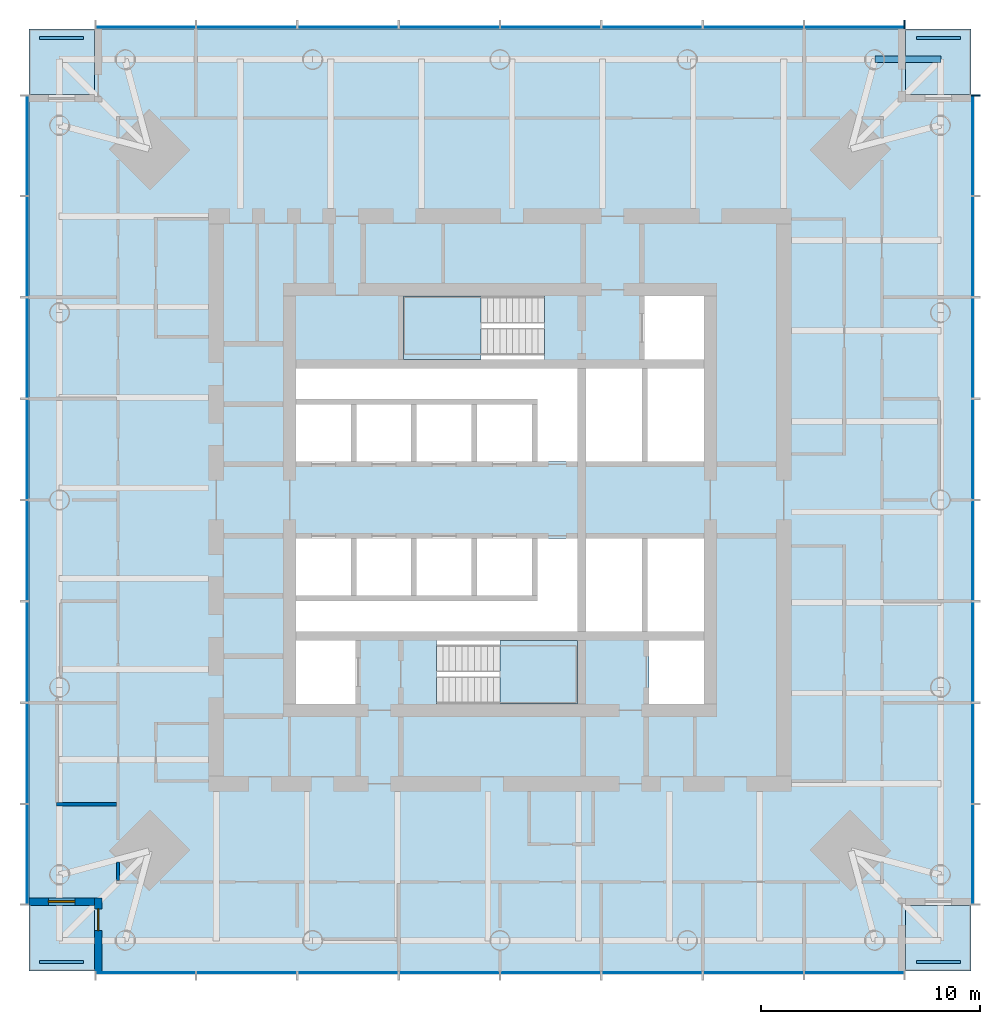
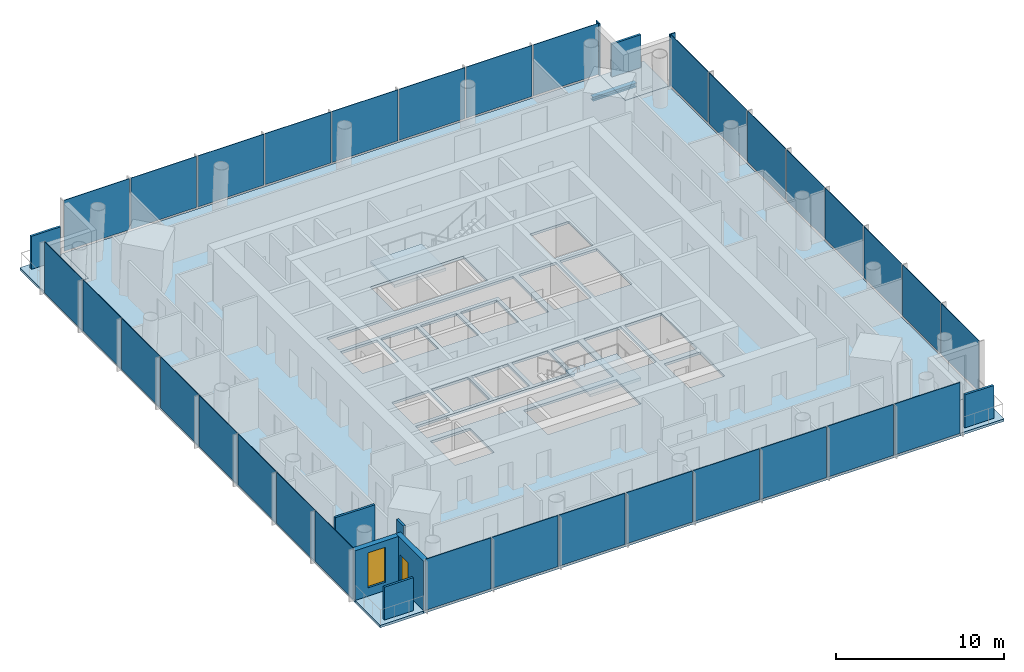
# One storey, part 3 of 9: 36 plates, 7 slabs, 4 walls, 2 members, 1 beam, 1 door, 1 window, 2 openings, 6 elements without a shape of their own.
"""IFC4 building model written with IfcOpenShell, lengths in metres."""

from ifc_helpers import new_model, si_unit, direction, frame, frame_2d, origin, origin_2d, place, context, subcontext, project, spatial, polyline, rectangle, i_section, outline, extrude, material, layer, layer_set, material_profile, profile_set, type_object, element, fill, aggregate, save


model = new_model("IFC4")

# Units and contexts
model_context = context("Model", 3, precision=1e-05, world=origin(), true_north=direction((0.0, 1.0)))
body_context = subcontext(model_context, "Body", "Model", "MODEL_VIEW")
ifc_project = project(units=[si_unit("LENGTHUNIT", "METRE"), si_unit("AREAUNIT", "SQUARE_METRE"), si_unit("VOLUMEUNIT", "CUBIC_METRE"), si_unit("PLANEANGLEUNIT", "RADIAN"), si_unit("MASSUNIT", "GRAM", prefix="KILO")], contexts=[model_context])

# Site, building, storey
site_placement = place(None, origin())
site = spatial("IfcSite", under=ifc_project, at=site_placement, CompositionType="ELEMENT")
building_placement = place(site_placement, origin())
building = spatial("IfcBuilding", under=site, at=building_placement, Name="Ostroluk Exchange", CompositionType="ELEMENT")
storey_placement = place(building_placement, frame((0.0, 0.0, 142.60009765625)))
storey = spatial("IfcBuildingStorey", under=building, at=storey_placement, Name="L36", CompositionType="ELEMENT", Elevation=142.60009765625)

# Beam
ifc_material_1 = material(Name="Steel S355", Category="steel")
ifc_material_profile_1 = material_profile(ifc_material_1, i_section(OverallWidth=0.300048828125, OverallDepth=0.300048828125, WebThickness=0.010986328125, FlangeThickness=0.01904296875, FilletRadius=0.027099609375, at=origin_2d()), Name="HEB 300")
ifc_profile_set_1 = profile_set([ifc_material_profile_1], Name="Steel S355")
beam_type = type_object("IfcBeamType", Name="Balcony beam HEB 300", PredefinedType="BEAM", material=ifc_profile_set_1)
beam_placement = place(storey_placement, frame((62.1142578125, 66.1142578125, -0.330078125), z_axis=(1.0, 0.0, 0.0), x_axis=(0.0, 1.0, 0.0)))
element("IfcBeam", 1, at=beam_placement, inside=storey, type_object=beam_type, Name="T1 east balcony beam b", PredefinedType="BEAM", context=body_context, shape_type="SweptSolid", body=[
    extrude(i_section(OverallWidth=0.300048828125, OverallDepth=0.300048828125, WebThickness=0.010986328125, FlangeThickness=0.01904296875, FilletRadius=0.027099609375, at=origin_2d()), origin(), (0.0, 0.0, 1.0), 3.0),
])

# Curtain wall, member
ifc_material_2 = material(Name="Laminated clear glass", Category="glass")
curtain_wall_type = type_object("IfcCurtainWallType", Name="Office tower facade", PredefinedType="USERDEFINED", material=ifc_material_2)
curtain_wall_1_placement = place(storey_placement, origin())
curtain_wall_1 = element("IfcCurtainWall", 2, at=curtain_wall_1_placement, inside=storey, type_object=curtain_wall_type, Name="Office tower east facade L36", ObjectType="UNITISED CURTAIN WALL", PredefinedType="USERDEFINED")
ifc_material_3 = material(Name="Aluminium mullion with limestone facing", Category="masonry")
ifc_material_profile_2 = material_profile(ifc_material_3, rectangle(XDim=0.39990234375, YDim=0.080078125, at=origin_2d()), Name="Tracery mullion 80 x 400")
ifc_profile_set_2 = profile_set([ifc_material_profile_2], Name="Aluminium mullion with limestone facing")
member_type = type_object("IfcMemberType", Name="Tracery mullion 80 x 400", PredefinedType="MULLION", material=ifc_profile_set_2)
member_1_placement = place(storey_placement, frame((66.699951171875, 64.4599609375, 0.0), z_axis=(0.0, 0.0, 1.0), x_axis=(-1.0, 0.0, 0.0)))
member_1 = element("IfcMember", 3, at=member_1_placement, type_object=member_type, Name="CW-O1 mullion 9", PredefinedType="MULLION", context=body_context, shape_type="SweptSolid", body=[
    extrude(rectangle(XDim=0.39990234375, YDim=0.080078125, at=origin_2d()), origin(), (0.0, 0.0, 1.0), 3.7998046875),
])

curtain_wall_2_placement = place(storey_placement, origin())
curtain_wall_2 = element("IfcCurtainWall", 4, at=curtain_wall_2_placement, inside=storey, type_object=curtain_wall_type, Name="Office tower north facade L36", ObjectType="UNITISED CURTAIN WALL", PredefinedType="USERDEFINED")
member_2_placement = place(storey_placement, frame((63.4599609375, 67.699951171875, 0.0), z_axis=(0.0, 0.0, 1.0), x_axis=(0.0, -1.0, 0.0)))
member_2 = element("IfcMember", 5, at=member_2_placement, type_object=member_type, Name="CW-O1 mullion 1", PredefinedType="MULLION", context=body_context, shape_type="SweptSolid", body=[
    extrude(rectangle(XDim=0.39990234375, YDim=0.080078125, at=origin_2d()), origin(), (0.0, 0.0, 1.0), 3.7998046875),
])

# Slabs
ifc_material_4 = material(Name="Concrete C35/45", Category="concrete")
ifc_layer_1 = layer(ifc_material_4, 0.179931640625)
ifc_layer_set_1 = layer_set([ifc_layer_1], Name="Balcony slab 180")
slab_type_1 = type_object("IfcSlabType", Name="Balcony slab 180", PredefinedType="USERDEFINED", material=ifc_layer_set_1)
slab_1_placement = place(storey_placement, frame((0.0, 0.0, -0.18017578125)))
element("IfcSlab", 6, at=slab_1_placement, inside=storey, type_object=slab_type_1, Name="Office tower SE corner balcony L36", ObjectType="BALCONY", PredefinedType="USERDEFINED", context=body_context, shape_type="SweptSolid", body=[
    extrude(outline(polyline([(63.5, 24.5), (66.5, 24.5), (66.5, 27.5), (63.5, 27.5), (63.5, 24.5)])), origin(), (0.0, 0.0, 1.0), 0.18017578125),
])
slab_2_placement = place(storey_placement, frame((0.0, 0.0, -0.18017578125)))
element("IfcSlab", 7, at=slab_2_placement, inside=storey, type_object=slab_type_1, Name="Office tower NE corner balcony L36", ObjectType="BALCONY", PredefinedType="USERDEFINED", context=body_context, shape_type="SweptSolid", body=[
    extrude(outline(polyline([(63.5, 64.5), (66.5, 64.5), (66.5, 67.5), (63.5, 67.5), (63.5, 64.5)])), origin(), (0.0, 0.0, 1.0), 0.18017578125),
])
slab_3_placement = place(storey_placement, frame((0.0, 0.0, -0.18017578125)))
element("IfcSlab", 8, at=slab_3_placement, inside=storey, type_object=slab_type_1, Name="Office tower NW corner balcony L36", ObjectType="BALCONY", PredefinedType="USERDEFINED", context=body_context, shape_type="SweptSolid", body=[
    extrude(outline(polyline([(23.5, 64.5), (26.5, 64.5), (26.5, 67.5), (23.5, 67.5), (23.5, 64.5)])), origin(), (0.0, 0.0, 1.0), 0.18017578125),
])
slab_4_placement = place(storey_placement, frame((0.0, 0.0, -0.18017578125)))
element("IfcSlab", 9, at=slab_4_placement, inside=storey, type_object=slab_type_1, Name="Office tower SW corner balcony L36", ObjectType="BALCONY", PredefinedType="USERDEFINED", context=body_context, shape_type="SweptSolid", body=[
    extrude(outline(polyline([(23.5, 24.5), (26.5, 24.5), (26.5, 27.5), (23.5, 27.5), (23.5, 24.5)])), origin(), (0.0, 0.0, 1.0), 0.18017578125),
])

# Plates
ifc_material_5 = material(Name="Steel S355 trellis with planting", Category="steel")
ifc_layer_2 = layer(ifc_material_5, 0.14990234375)
ifc_layer_set_2 = layer_set([ifc_layer_2], Name="Planted screen 150")
plate_type_1 = type_object("IfcPlateType", Name="Planted screen 150", PredefinedType="USERDEFINED", material=ifc_layer_set_2)
for number, where, z_axis, x_axis, name in (
    (10, (65.0, 24.925048828125, 0.0), (0.0, 0.0, 1.0), (1.0, 0.0, 0.0), "Office tower SE planted screen L36"),
    (11, (65.0, 67.074951171875, 0.0), (0.0, 0.0, 1.0), (1.0, 0.0, 0.0), "Office tower NE planted screen L36"),
    (12, (25.0, 67.074951171875, 0.0), (0.0, 0.0, 1.0), (1.0, 0.0, 0.0), "Office tower NW planted screen L36"),
    (13, (25.0, 24.925048828125, 0.0), (0.0, 0.0, 1.0), (1.0, 0.0, 0.0), "Office tower SW planted screen L36"),
):
    element("IfcPlate", number, at=place(storey_placement, frame(where, z_axis=z_axis, x_axis=x_axis)), inside=storey, type_object=plate_type_1, Name=name, ObjectType="PLANTED SCREEN", PredefinedType="USERDEFINED", context=body_context, shape_type="SweptSolid", body=[
        extrude(rectangle(XDim=2.0, YDim=0.14990234375, at=origin_2d()), origin(), (0.0, 0.0, 1.0), 2.39990234375),
    ])

# Stair, slab
ifc_material_6 = material(Name="Concrete C30/37", Category="concrete")
stair_type = type_object("IfcStairType", Name="Exit stair half turn 3800", PredefinedType="HALF_TURN_STAIR", material=ifc_material_6)
stair_1_placement = place(storey_placement, origin())
stair_1 = element("IfcStair", 14, at=stair_1_placement, inside=storey, type_object=stair_type, Name="Stair T1-S1 L36", PredefinedType="HALF_TURN_STAIR")
ifc_material_7 = material(Name="Concrete C30/37", Category="concrete")
ifc_layer_3 = layer(ifc_material_7, 0.199951171875)
ifc_layer_set_3 = layer_set([ifc_layer_3], Name="Stair landing 200")
slab_type_2 = type_object("IfcSlabType", Name="Stair landing 200", PredefinedType="LANDING", material=ifc_layer_set_3)
slab_5_placement = place(storey_placement, frame((0.0, 0.0, 1.699951171875)))
slab_5 = element("IfcSlab", 15, at=slab_5_placement, type_object=slab_type_2, Name="T1-S1 landing 1", PredefinedType="LANDING", context=body_context, shape_type="SweptSolid", body=[
    extrude(outline(polyline([(45.0, 36.699951171875), (45.0, 39.60009765625), (48.530029296875, 39.60009765625), (48.530029296875, 36.699951171875), (45.0, 36.699951171875)])), origin(), (0.0, 0.0, 1.0), 0.199951171875),
])
aggregate(stair_1, [slab_5])

stair_2_placement = place(storey_placement, origin())
stair_2 = element("IfcStair", 16, at=stair_2_placement, inside=storey, type_object=stair_type, Name="Stair T1-S2 L36", PredefinedType="HALF_TURN_STAIR")
slab_6_placement = place(storey_placement, frame((0.0, 0.0, 1.699951171875)))
slab_6 = element("IfcSlab", 17, at=slab_6_placement, type_object=slab_type_2, Name="T1-S2 landing 1", PredefinedType="LANDING", context=body_context, shape_type="SweptSolid", body=[
    extrude(outline(polyline([(44.1298828125, 52.39990234375), (44.1298828125, 55.300048828125), (40.60009765625, 55.300048828125), (40.60009765625, 52.39990234375), (44.1298828125, 52.39990234375)])), origin(), (0.0, 0.0, 1.0), 0.199951171875),
])
aggregate(stair_2, [slab_6])

# Slab
ifc_material_8 = material(Name="Concrete C35/45", Category="concrete")
ifc_layer_4 = layer(ifc_material_8, 0.179931640625)
ifc_layer_set_4 = layer_set([ifc_layer_4], Name="Tower floor slab 180 composite")
slab_type_3 = type_object("IfcSlabType", Name="Tower floor slab 180 composite", PredefinedType="FLOOR", material=ifc_layer_set_4)
slab_7_placement = place(storey_placement, frame((0.0, 0.0, -0.18017578125)))
element("IfcSlab", 18, at=slab_7_placement, inside=storey, type_object=slab_type_3, Name="Office tower floor slab L36", PredefinedType="FLOOR", context=body_context, shape_type="SweptSolid", body=[
    extrude(outline(polyline([(26.5, 24.5), (63.5, 24.5), (63.5, 27.5), (66.5, 27.5), (66.5, 64.5), (63.5, 64.5), (63.5, 67.5), (26.5, 67.5), (26.5, 64.5), (23.5, 64.5), (23.5, 27.5), (26.5, 27.5), (26.5, 24.5)]), holes=[polyline([(35.699951171875, 36.699951171875), (38.39990234375, 36.699951171875), (38.39990234375, 39.60009765625), (35.699951171875, 39.60009765625), (35.699951171875, 36.699951171875)]), polyline([(42.110107421875, 36.699951171875), (48.530029296875, 36.699951171875), (48.530029296875, 39.60009765625), (42.110107421875, 39.60009765625), (42.110107421875, 36.699951171875)]), polyline([(51.800048828125, 36.699951171875), (54.300048828125, 36.699951171875), (54.300048828125, 39.60009765625), (51.800048828125, 39.60009765625), (51.800048828125, 36.699951171875)]), polyline([(40.60009765625, 52.39990234375), (47.02001953125, 52.39990234375), (47.02001953125, 55.300048828125), (40.60009765625, 55.300048828125), (40.60009765625, 52.39990234375)]), polyline([(51.60009765625, 52.39990234375), (54.300048828125, 52.39990234375), (54.300048828125, 55.300048828125), (51.60009765625, 55.300048828125), (51.60009765625, 52.39990234375)]), polyline([(35.699951171875, 47.75), (38.199951171875, 47.75), (38.199951171875, 50.35009765625), (35.699951171875, 50.35009765625), (35.699951171875, 47.75)]), polyline([(38.449951171875, 47.75), (40.949951171875, 47.75), (40.949951171875, 50.35009765625), (38.449951171875, 50.35009765625), (38.449951171875, 47.75)]), polyline([(41.199951171875, 47.75), (43.699951171875, 47.75), (43.699951171875, 50.35009765625), (41.199951171875, 50.35009765625), (41.199951171875, 47.75)]), polyline([(43.949951171875, 47.75), (46.449951171875, 47.75), (46.449951171875, 50.35009765625), (43.949951171875, 50.35009765625), (43.949951171875, 47.75)]), polyline([(35.699951171875, 41.64990234375), (38.199951171875, 41.64990234375), (38.199951171875, 44.25), (35.699951171875, 44.25), (35.699951171875, 41.64990234375)]), polyline([(38.449951171875, 41.64990234375), (40.949951171875, 41.64990234375), (40.949951171875, 44.25), (38.449951171875, 44.25), (38.449951171875, 41.64990234375)]), polyline([(41.199951171875, 41.64990234375), (43.699951171875, 41.64990234375), (43.699951171875, 44.25), (41.199951171875, 44.25), (41.199951171875, 41.64990234375)]), polyline([(43.949951171875, 41.64990234375), (46.449951171875, 41.64990234375), (46.449951171875, 44.25), (43.949951171875, 44.25), (43.949951171875, 41.64990234375)]), polyline([(48.929931640625, 47.75), (51.489990234375, 47.75), (51.489990234375, 52.0), (48.929931640625, 52.0), (48.929931640625, 47.75)]), polyline([(51.739990234375, 47.75), (54.300048828125, 47.75), (54.300048828125, 52.0), (51.739990234375, 52.0), (51.739990234375, 47.75)]), polyline([(48.929931640625, 40.0), (51.489990234375, 40.0), (51.489990234375, 44.25), (48.929931640625, 44.25), (48.929931640625, 40.0)]), polyline([(51.739990234375, 40.0), (54.300048828125, 40.0), (54.300048828125, 44.25), (51.739990234375, 44.25), (51.739990234375, 40.0)]), polyline([(48.530029296875, 52.0), (48.530029296875, 47.75), (46.699951171875, 47.75), (46.699951171875, 50.60009765625), (35.699951171875, 50.60009765625), (35.699951171875, 52.0), (48.530029296875, 52.0)]), polyline([(35.699951171875, 40.0), (35.699951171875, 41.39990234375), (46.699951171875, 41.39990234375), (46.699951171875, 44.25), (48.530029296875, 44.25), (48.530029296875, 40.0), (35.699951171875, 40.0)])]), origin(), (0.0, 0.0, 1.0), 0.18017578125),
])

# Curtain wall, plates
curtain_wall_3_placement = place(storey_placement, origin())
curtain_wall_3 = element("IfcCurtainWall", 19, at=curtain_wall_3_placement, inside=storey, type_object=curtain_wall_type, Name="Office tower south facade L36", ObjectType="UNITISED CURTAIN WALL", PredefinedType="USERDEFINED")
ifc_material_9 = material(Name="Laminated clear glass", Category="glass")
ifc_layer_5 = layer(ifc_material_9, 0.0439453125)
ifc_layer_set_5 = layer_set([ifc_layer_5], Name="Triple laminated clear glazing 44")
plate_type_2 = type_object("IfcPlateType", Name="Triple laminated clear glazing 44", PredefinedType="CURTAIN_PANEL", material=ifc_layer_set_5)
plate_1_placement = place(storey_placement, frame((28.83251953125, 24.425048828125, 0.080078125), z_axis=(0.0, 0.0, 1.0), x_axis=(1.0, 0.0, 0.0)))
plate_1 = element("IfcPlate", 20, at=plate_1_placement, type_object=plate_type_2, Name="CW-O1 panel 1.1", PredefinedType="CURTAIN_PANEL", context=body_context, shape_type="SweptSolid", body=[
    extrude(rectangle(XDim=4.5048828125, YDim=0.0439453125, at=origin_2d()), origin(), (0.0, 0.0, 1.0), 3.719970703125),
])
plate_2_placement = place(storey_placement, frame((33.4375, 24.425048828125, 0.080078125), z_axis=(0.0, 0.0, 1.0), x_axis=(1.0, 0.0, 0.0)))
plate_2 = element("IfcPlate", 21, at=plate_2_placement, type_object=plate_type_2, Name="CW-O1 panel 2.1", PredefinedType="CURTAIN_PANEL", context=body_context, shape_type="SweptSolid", body=[
    extrude(rectangle(XDim=4.544921875, YDim=0.0439453125, at=origin_2d()), origin(), (0.0, 0.0, 1.0), 3.719970703125),
])
plate_3_placement = place(storey_placement, frame((38.0625, 24.425048828125, 0.080078125), z_axis=(0.0, 0.0, 1.0), x_axis=(1.0, 0.0, 0.0)))
plate_3 = element("IfcPlate", 22, at=plate_3_placement, type_object=plate_type_2, Name="CW-O1 panel 3.1", PredefinedType="CURTAIN_PANEL", context=body_context, shape_type="SweptSolid", body=[
    extrude(rectangle(XDim=4.544921875, YDim=0.0439453125, at=origin_2d()), origin(), (0.0, 0.0, 1.0), 3.719970703125),
])
plate_4_placement = place(storey_placement, frame((42.6875, 24.425048828125, 0.080078125), z_axis=(0.0, 0.0, 1.0), x_axis=(1.0, 0.0, 0.0)))
plate_4 = element("IfcPlate", 23, at=plate_4_placement, type_object=plate_type_2, Name="CW-O1 panel 4.1", PredefinedType="CURTAIN_PANEL", context=body_context, shape_type="SweptSolid", body=[
    extrude(rectangle(XDim=4.544921875, YDim=0.0439453125, at=origin_2d()), origin(), (0.0, 0.0, 1.0), 3.719970703125),
])
plate_5_placement = place(storey_placement, frame((47.3125, 24.425048828125, 0.080078125), z_axis=(0.0, 0.0, 1.0), x_axis=(1.0, 0.0, 0.0)))
plate_5 = element("IfcPlate", 24, at=plate_5_placement, type_object=plate_type_2, Name="CW-O1 panel 5.1", PredefinedType="CURTAIN_PANEL", context=body_context, shape_type="SweptSolid", body=[
    extrude(rectangle(XDim=4.544921875, YDim=0.0439453125, at=origin_2d()), origin(), (0.0, 0.0, 1.0), 3.719970703125),
])
plate_6_placement = place(storey_placement, frame((51.9375, 24.425048828125, 0.080078125), z_axis=(0.0, 0.0, 1.0), x_axis=(1.0, 0.0, 0.0)))
plate_6 = element("IfcPlate", 25, at=plate_6_placement, type_object=plate_type_2, Name="CW-O1 panel 6.1", PredefinedType="CURTAIN_PANEL", context=body_context, shape_type="SweptSolid", body=[
    extrude(rectangle(XDim=4.544921875, YDim=0.0439453125, at=origin_2d()), origin(), (0.0, 0.0, 1.0), 3.719970703125),
])
plate_7_placement = place(storey_placement, frame((56.5625, 24.425048828125, 0.080078125), z_axis=(0.0, 0.0, 1.0), x_axis=(1.0, 0.0, 0.0)))
plate_7 = element("IfcPlate", 26, at=plate_7_placement, type_object=plate_type_2, Name="CW-O1 panel 7.1", PredefinedType="CURTAIN_PANEL", context=body_context, shape_type="SweptSolid", body=[
    extrude(rectangle(XDim=4.544921875, YDim=0.0439453125, at=origin_2d()), origin(), (0.0, 0.0, 1.0), 3.719970703125),
])
plate_8_placement = place(storey_placement, frame((61.16748046875, 24.425048828125, 0.080078125), z_axis=(0.0, 0.0, 1.0), x_axis=(1.0, 0.0, 0.0)))
plate_8 = element("IfcPlate", 27, at=plate_8_placement, type_object=plate_type_2, Name="CW-O1 panel 8.1", PredefinedType="CURTAIN_PANEL", context=body_context, shape_type="SweptSolid", body=[
    extrude(rectangle(XDim=4.5048828125, YDim=0.0439453125, at=origin_2d()), origin(), (0.0, 0.0, 1.0), 3.719970703125),
])
aggregate(curtain_wall_3, [plate_1, plate_2, plate_3, plate_4, plate_5, plate_6, plate_7, plate_8])

# Plate
plate_9_placement = place(storey_placement, frame((66.574951171875, 29.83251953125, 0.080078125), z_axis=(0.0, 0.0, 1.0), x_axis=(0.0, 1.0, 0.0)))
plate_9 = element("IfcPlate", 28, at=plate_9_placement, type_object=plate_type_2, Name="CW-O1 panel 1.1", PredefinedType="CURTAIN_PANEL", context=body_context, shape_type="SweptSolid", body=[
    extrude(rectangle(XDim=4.5048828125, YDim=0.0439453125, at=origin_2d()), origin(), (0.0, 0.0, 1.0), 3.719970703125),
])

plate_10_placement = place(storey_placement, frame((66.574951171875, 34.4375, 0.080078125), z_axis=(0.0, 0.0, 1.0), x_axis=(0.0, 1.0, 0.0)))
plate_10 = element("IfcPlate", 29, at=plate_10_placement, type_object=plate_type_2, Name="CW-O1 panel 2.1", PredefinedType="CURTAIN_PANEL", context=body_context, shape_type="SweptSolid", body=[
    extrude(rectangle(XDim=4.544921875, YDim=0.0439453125, at=origin_2d()), origin(), (0.0, 0.0, 1.0), 3.719970703125),
])

plate_11_placement = place(storey_placement, frame((66.574951171875, 39.0625, 0.080078125), z_axis=(0.0, 0.0, 1.0), x_axis=(0.0, 1.0, 0.0)))
plate_11 = element("IfcPlate", 30, at=plate_11_placement, type_object=plate_type_2, Name="CW-O1 panel 3.1", PredefinedType="CURTAIN_PANEL", context=body_context, shape_type="SweptSolid", body=[
    extrude(rectangle(XDim=4.544921875, YDim=0.0439453125, at=origin_2d()), origin(), (0.0, 0.0, 1.0), 3.719970703125),
])

plate_12_placement = place(storey_placement, frame((66.574951171875, 43.6875, 0.080078125), z_axis=(0.0, 0.0, 1.0), x_axis=(0.0, 1.0, 0.0)))
plate_12 = element("IfcPlate", 31, at=plate_12_placement, type_object=plate_type_2, Name="CW-O1 panel 4.1", PredefinedType="CURTAIN_PANEL", context=body_context, shape_type="SweptSolid", body=[
    extrude(rectangle(XDim=4.544921875, YDim=0.0439453125, at=origin_2d()), origin(), (0.0, 0.0, 1.0), 3.719970703125),
])

plate_13_placement = place(storey_placement, frame((66.574951171875, 48.3125, 0.080078125), z_axis=(0.0, 0.0, 1.0), x_axis=(0.0, 1.0, 0.0)))
plate_13 = element("IfcPlate", 32, at=plate_13_placement, type_object=plate_type_2, Name="CW-O1 panel 5.1", PredefinedType="CURTAIN_PANEL", context=body_context, shape_type="SweptSolid", body=[
    extrude(rectangle(XDim=4.544921875, YDim=0.0439453125, at=origin_2d()), origin(), (0.0, 0.0, 1.0), 3.719970703125),
])

plate_14_placement = place(storey_placement, frame((66.574951171875, 52.9375, 0.080078125), z_axis=(0.0, 0.0, 1.0), x_axis=(0.0, 1.0, 0.0)))
plate_14 = element("IfcPlate", 33, at=plate_14_placement, type_object=plate_type_2, Name="CW-O1 panel 6.1", PredefinedType="CURTAIN_PANEL", context=body_context, shape_type="SweptSolid", body=[
    extrude(rectangle(XDim=4.544921875, YDim=0.0439453125, at=origin_2d()), origin(), (0.0, 0.0, 1.0), 3.719970703125),
])

plate_15_placement = place(storey_placement, frame((66.574951171875, 57.5625, 0.080078125), z_axis=(0.0, 0.0, 1.0), x_axis=(0.0, 1.0, 0.0)))
plate_15 = element("IfcPlate", 34, at=plate_15_placement, type_object=plate_type_2, Name="CW-O1 panel 7.1", PredefinedType="CURTAIN_PANEL", context=body_context, shape_type="SweptSolid", body=[
    extrude(rectangle(XDim=4.544921875, YDim=0.0439453125, at=origin_2d()), origin(), (0.0, 0.0, 1.0), 3.719970703125),
])

plate_16_placement = place(storey_placement, frame((66.574951171875, 62.16748046875, 0.080078125), z_axis=(0.0, 0.0, 1.0), x_axis=(0.0, 1.0, 0.0)))
plate_16 = element("IfcPlate", 35, at=plate_16_placement, type_object=plate_type_2, Name="CW-O1 panel 8.1", PredefinedType="CURTAIN_PANEL", context=body_context, shape_type="SweptSolid", body=[
    extrude(rectangle(XDim=4.5048828125, YDim=0.0439453125, at=origin_2d()), origin(), (0.0, 0.0, 1.0), 3.719970703125),
])

aggregate(curtain_wall_1, [member_1, plate_9, plate_10, plate_11, plate_12, plate_13, plate_14, plate_15, plate_16])

plate_17_placement = place(storey_placement, frame((61.16748046875, 67.574951171875, 0.080078125), z_axis=(0.0, 0.0, 1.0), x_axis=(-1.0, 0.0, 0.0)))
plate_17 = element("IfcPlate", 36, at=plate_17_placement, type_object=plate_type_2, Name="CW-O1 panel 1.1", PredefinedType="CURTAIN_PANEL", context=body_context, shape_type="SweptSolid", body=[
    extrude(rectangle(XDim=4.5048828125, YDim=0.0439453125, at=origin_2d()), origin(), (0.0, 0.0, 1.0), 3.719970703125),
])

plate_18_placement = place(storey_placement, frame((56.5625, 67.574951171875, 0.080078125), z_axis=(0.0, 0.0, 1.0), x_axis=(-1.0, 0.0, 0.0)))
plate_18 = element("IfcPlate", 37, at=plate_18_placement, type_object=plate_type_2, Name="CW-O1 panel 2.1", PredefinedType="CURTAIN_PANEL", context=body_context, shape_type="SweptSolid", body=[
    extrude(rectangle(XDim=4.544921875, YDim=0.0439453125, at=origin_2d()), origin(), (0.0, 0.0, 1.0), 3.719970703125),
])

plate_19_placement = place(storey_placement, frame((51.9375, 67.574951171875, 0.080078125), z_axis=(0.0, 0.0, 1.0), x_axis=(-1.0, 0.0, 0.0)))
plate_19 = element("IfcPlate", 38, at=plate_19_placement, type_object=plate_type_2, Name="CW-O1 panel 3.1", PredefinedType="CURTAIN_PANEL", context=body_context, shape_type="SweptSolid", body=[
    extrude(rectangle(XDim=4.544921875, YDim=0.0439453125, at=origin_2d()), origin(), (0.0, 0.0, 1.0), 3.719970703125),
])

plate_20_placement = place(storey_placement, frame((47.3125, 67.574951171875, 0.080078125), z_axis=(0.0, 0.0, 1.0), x_axis=(-1.0, 0.0, 0.0)))
plate_20 = element("IfcPlate", 39, at=plate_20_placement, type_object=plate_type_2, Name="CW-O1 panel 4.1", PredefinedType="CURTAIN_PANEL", context=body_context, shape_type="SweptSolid", body=[
    extrude(rectangle(XDim=4.544921875, YDim=0.0439453125, at=origin_2d()), origin(), (0.0, 0.0, 1.0), 3.719970703125),
])

plate_21_placement = place(storey_placement, frame((42.6875, 67.574951171875, 0.080078125), z_axis=(0.0, 0.0, 1.0), x_axis=(-1.0, 0.0, 0.0)))
plate_21 = element("IfcPlate", 40, at=plate_21_placement, type_object=plate_type_2, Name="CW-O1 panel 5.1", PredefinedType="CURTAIN_PANEL", context=body_context, shape_type="SweptSolid", body=[
    extrude(rectangle(XDim=4.544921875, YDim=0.0439453125, at=origin_2d()), origin(), (0.0, 0.0, 1.0), 3.719970703125),
])

plate_22_placement = place(storey_placement, frame((38.0625, 67.574951171875, 0.080078125), z_axis=(0.0, 0.0, 1.0), x_axis=(-1.0, 0.0, 0.0)))
plate_22 = element("IfcPlate", 41, at=plate_22_placement, type_object=plate_type_2, Name="CW-O1 panel 6.1", PredefinedType="CURTAIN_PANEL", context=body_context, shape_type="SweptSolid", body=[
    extrude(rectangle(XDim=4.544921875, YDim=0.0439453125, at=origin_2d()), origin(), (0.0, 0.0, 1.0), 3.719970703125),
])

plate_23_placement = place(storey_placement, frame((33.4375, 67.574951171875, 0.080078125), z_axis=(0.0, 0.0, 1.0), x_axis=(-1.0, 0.0, 0.0)))
plate_23 = element("IfcPlate", 42, at=plate_23_placement, type_object=plate_type_2, Name="CW-O1 panel 7.1", PredefinedType="CURTAIN_PANEL", context=body_context, shape_type="SweptSolid", body=[
    extrude(rectangle(XDim=4.544921875, YDim=0.0439453125, at=origin_2d()), origin(), (0.0, 0.0, 1.0), 3.719970703125),
])

plate_24_placement = place(storey_placement, frame((28.83251953125, 67.574951171875, 0.080078125), z_axis=(0.0, 0.0, 1.0), x_axis=(-1.0, 0.0, 0.0)))
plate_24 = element("IfcPlate", 43, at=plate_24_placement, type_object=plate_type_2, Name="CW-O1 panel 8.1", PredefinedType="CURTAIN_PANEL", context=body_context, shape_type="SweptSolid", body=[
    extrude(rectangle(XDim=4.5048828125, YDim=0.0439453125, at=origin_2d()), origin(), (0.0, 0.0, 1.0), 3.719970703125),
])

aggregate(curtain_wall_2, [member_2, plate_17, plate_18, plate_19, plate_20, plate_21, plate_22, plate_23, plate_24])

# Curtain wall, plates
curtain_wall_4_placement = place(storey_placement, origin())
curtain_wall_4 = element("IfcCurtainWall", 44, at=curtain_wall_4_placement, inside=storey, type_object=curtain_wall_type, Name="Office tower west facade L36", ObjectType="UNITISED CURTAIN WALL", PredefinedType="USERDEFINED")
plate_25_placement = place(storey_placement, frame((23.425048828125, 62.16748046875, 0.080078125), z_axis=(0.0, 0.0, 1.0), x_axis=(0.0, -1.0, 0.0)))
plate_25 = element("IfcPlate", 45, at=plate_25_placement, type_object=plate_type_2, Name="CW-O1 panel 1.1", PredefinedType="CURTAIN_PANEL", context=body_context, shape_type="SweptSolid", body=[
    extrude(rectangle(XDim=4.5048828125, YDim=0.0439453125, at=origin_2d()), origin(), (0.0, 0.0, 1.0), 3.719970703125),
])
plate_26_placement = place(storey_placement, frame((23.425048828125, 57.5625, 0.080078125), z_axis=(0.0, 0.0, 1.0), x_axis=(0.0, -1.0, 0.0)))
plate_26 = element("IfcPlate", 46, at=plate_26_placement, type_object=plate_type_2, Name="CW-O1 panel 2.1", PredefinedType="CURTAIN_PANEL", context=body_context, shape_type="SweptSolid", body=[
    extrude(rectangle(XDim=4.544921875, YDim=0.0439453125, at=origin_2d()), origin(), (0.0, 0.0, 1.0), 3.719970703125),
])
plate_27_placement = place(storey_placement, frame((23.425048828125, 52.9375, 0.080078125), z_axis=(0.0, 0.0, 1.0), x_axis=(0.0, -1.0, 0.0)))
plate_27 = element("IfcPlate", 47, at=plate_27_placement, type_object=plate_type_2, Name="CW-O1 panel 3.1", PredefinedType="CURTAIN_PANEL", context=body_context, shape_type="SweptSolid", body=[
    extrude(rectangle(XDim=4.544921875, YDim=0.0439453125, at=origin_2d()), origin(), (0.0, 0.0, 1.0), 3.719970703125),
])
plate_28_placement = place(storey_placement, frame((23.425048828125, 48.3125, 0.080078125), z_axis=(0.0, 0.0, 1.0), x_axis=(0.0, -1.0, 0.0)))
plate_28 = element("IfcPlate", 48, at=plate_28_placement, type_object=plate_type_2, Name="CW-O1 panel 4.1", PredefinedType="CURTAIN_PANEL", context=body_context, shape_type="SweptSolid", body=[
    extrude(rectangle(XDim=4.544921875, YDim=0.0439453125, at=origin_2d()), origin(), (0.0, 0.0, 1.0), 3.719970703125),
])
plate_29_placement = place(storey_placement, frame((23.425048828125, 43.6875, 0.080078125), z_axis=(0.0, 0.0, 1.0), x_axis=(0.0, -1.0, 0.0)))
plate_29 = element("IfcPlate", 49, at=plate_29_placement, type_object=plate_type_2, Name="CW-O1 panel 5.1", PredefinedType="CURTAIN_PANEL", context=body_context, shape_type="SweptSolid", body=[
    extrude(rectangle(XDim=4.544921875, YDim=0.0439453125, at=origin_2d()), origin(), (0.0, 0.0, 1.0), 3.719970703125),
])
plate_30_placement = place(storey_placement, frame((23.425048828125, 39.0625, 0.080078125), z_axis=(0.0, 0.0, 1.0), x_axis=(0.0, -1.0, 0.0)))
plate_30 = element("IfcPlate", 50, at=plate_30_placement, type_object=plate_type_2, Name="CW-O1 panel 6.1", PredefinedType="CURTAIN_PANEL", context=body_context, shape_type="SweptSolid", body=[
    extrude(rectangle(XDim=4.544921875, YDim=0.0439453125, at=origin_2d()), origin(), (0.0, 0.0, 1.0), 3.719970703125),
])
plate_31_placement = place(storey_placement, frame((23.425048828125, 34.4375, 0.080078125), z_axis=(0.0, 0.0, 1.0), x_axis=(0.0, -1.0, 0.0)))
plate_31 = element("IfcPlate", 51, at=plate_31_placement, type_object=plate_type_2, Name="CW-O1 panel 7.1", PredefinedType="CURTAIN_PANEL", context=body_context, shape_type="SweptSolid", body=[
    extrude(rectangle(XDim=4.544921875, YDim=0.0439453125, at=origin_2d()), origin(), (0.0, 0.0, 1.0), 3.719970703125),
])
plate_32_placement = place(storey_placement, frame((23.425048828125, 29.83251953125, 0.080078125), z_axis=(0.0, 0.0, 1.0), x_axis=(0.0, -1.0, 0.0)))
plate_32 = element("IfcPlate", 52, at=plate_32_placement, type_object=plate_type_2, Name="CW-O1 panel 8.1", PredefinedType="CURTAIN_PANEL", context=body_context, shape_type="SweptSolid", body=[
    extrude(rectangle(XDim=4.5048828125, YDim=0.0439453125, at=origin_2d()), origin(), (0.0, 0.0, 1.0), 3.719970703125),
])
aggregate(curtain_wall_4, [plate_25, plate_26, plate_27, plate_28, plate_29, plate_30, plate_31, plate_32])

# Wall, opening, door
ifc_material_10 = material(Name="Limestone", Category="masonry")
ifc_layer_6 = layer(ifc_material_10, 0.35009765625)
ifc_layer_set_6 = layer_set([ifc_layer_6], Name="Limestone facade wall 350")
wall_type_1 = type_object("IfcWallType", Name="Limestone facade wall 350", PredefinedType="SOLIDWALL", material=ifc_layer_set_6)
wall_1_placement = place(storey_placement, frame((26.675048828125, 24.5, 0.0), z_axis=(0.0, 0.0, 1.0), x_axis=(0.0, 1.0, 0.0)))
wall_1 = element("IfcWall", 53, at=wall_1_placement, inside=storey, type_object=wall_type_1, Name="Office tower SW corner wall L36 a", PredefinedType="SOLIDWALL", context=body_context, shape_type="SweptSolid", body=[
    extrude(rectangle(XDim=3.35009765625, YDim=0.35009765625, at=frame_2d((1.675048828125, 0.0))), origin(), (0.0, 0.0, 1.0), 3.619873046875),
])
opening_1_placement = place(wall_1_placement, frame((1.85009765625, 0.0, 0.0)))
opening_1 = element("IfcOpeningElement", 54, at=opening_1_placement, cuts=wall_1, Name="Opening D-B1", PredefinedType="OPENING", context=body_context, shape_type="SweptSolid", body=[
    extrude(rectangle(XDim=1.0, YDim=2.39990234375, at=frame_2d((0.5, 1.199951171875))), frame((0.0, 0.18505859375, 0.0), z_axis=(0.0, -1.0, 0.0), x_axis=(1.0, 0.0, 0.0)), (0.0, 0.0, 1.0), 0.3701171875),
])
ifc_material_11 = material(Name="Bronze framed glazed door", Category="aluminium")
door_type = type_object("IfcDoorType", Name="Balcony door 1000 x 2400", OperationType="SINGLE_SWING_LEFT", PredefinedType="DOOR", material=ifc_material_11)
door_placement = place(opening_1_placement, origin())
door = element("IfcDoor", 55, at=door_placement, inside=storey, type_object=door_type, Name="Office tower SW balcony door L36", OperationType="SINGLE_SWING_RIGHT", OverallHeight=2.39990234375, OverallWidth=1.0, PredefinedType="DOOR", context=body_context, shape_type="SweptSolid", body=[
    extrude(rectangle(XDim=1.0, YDim=2.39990234375, at=frame_2d((0.5, 1.199951171875))), frame((0.0, 0.02490234375, 0.0), z_axis=(0.0, -1.0, 0.0), x_axis=(1.0, 0.0, 0.0)), (0.0, 0.0, 1.0), 0.050048828125),
])
fill(opening_1, door)

# Wall, opening, window
wall_2_placement = place(storey_placement, frame((26.5, 27.675048828125, 0.0), z_axis=(0.0, 0.0, 1.0), x_axis=(-1.0, 0.0, 0.0)))
wall_2 = element("IfcWall", 56, at=wall_2_placement, inside=storey, type_object=wall_type_1, Name="Office tower SW corner wall L36 b", PredefinedType="SOLIDWALL", context=body_context, shape_type="SweptSolid", body=[
    extrude(rectangle(XDim=3.0, YDim=0.35009765625, at=frame_2d((1.5, 0.0))), origin(), (0.0, 0.0, 1.0), 3.619873046875),
])
opening_2_placement = place(wall_2_placement, frame((0.89990234375, 0.0, 0.60009765625)))
opening_2 = element("IfcOpeningElement", 57, at=opening_2_placement, cuts=wall_2, Name="Opening WN-L1", PredefinedType="OPENING", context=body_context, shape_type="SweptSolid", body=[
    extrude(rectangle(XDim=1.199951171875, YDim=2.550048828125, at=frame_2d((0.60009765625, 1.27490234375))), frame((0.0, 0.18505859375, 0.0), z_axis=(0.0, -1.0, 0.0), x_axis=(1.0, 0.0, 0.0)), (0.0, 0.0, 1.0), 0.3701171875),
])
ifc_material_12 = material(Name="Laminated clear glass", Category="glass")
window_type = type_object("IfcWindowType", Name="Lancet window 1200 x 2550", PartitioningType="SINGLE_PANEL", PredefinedType="WINDOW", material=ifc_material_12)
window_placement = place(opening_2_placement, origin())
window = element("IfcWindow", 58, at=window_placement, inside=storey, type_object=window_type, Name="Office tower SW lancet window L36", OverallHeight=2.550048828125, OverallWidth=1.199951171875, PartitioningType="SINGLE_PANEL", PredefinedType="WINDOW", context=body_context, shape_type="SweptSolid", body=[
    extrude(rectangle(XDim=1.199951171875, YDim=2.550048828125, at=frame_2d((0.60009765625, 1.27490234375))), frame((0.0, 0.030029296875, 0.0), z_axis=(0.0, -1.0, 0.0), x_axis=(1.0, 0.0, 0.0)), (0.0, 0.0, 1.0), 0.06005859375),
])
fill(opening_2, window)

# Walls
ifc_material_13 = material(Name="Gypsum plasterboard partition", Category="gypsum")
ifc_layer_7 = layer(ifc_material_13, 0.14990234375)
ifc_layer_set_7 = layer_set([ifc_layer_7], Name="Plasterboard partition 150")
wall_type_2 = type_object("IfcWallType", Name="Plasterboard partition 150", PredefinedType="PARTITIONING", material=ifc_layer_set_7)
wall_3_placement = place(storey_placement, frame((27.574951171875, 29.48291015625, 0.0), z_axis=(0.0, 0.0, 1.0), x_axis=(0.0, -1.0, 0.0)))
element("IfcWall", 59, at=wall_3_placement, inside=storey, type_object=wall_type_2, Name="Partition", PredefinedType="PARTITIONING", context=body_context, shape_type="SweptSolid", body=[
    extrude(rectangle(XDim=0.8330078125, YDim=0.14990234375, at=frame_2d((0.41650390625, 0.0))), origin(), (0.0, 0.0, 1.0), 3.31982421875),
])
wall_4_placement = place(storey_placement, frame((27.5, 32.125, 0.0), z_axis=(0.0, 0.0, 1.0), x_axis=(-1.0, 0.0, 0.0)))
element("IfcWall", 60, at=wall_4_placement, inside=storey, type_object=wall_type_2, Name="Partition", PredefinedType="PARTITIONING", context=body_context, shape_type="SweptSolid", body=[
    extrude(rectangle(XDim=2.72509765625, YDim=0.14990234375, at=frame_2d((1.362548828125, 0.0))), origin(), (0.0, 0.0, 1.0), 2.81982421875),
])

save(model, "model.ifc")
